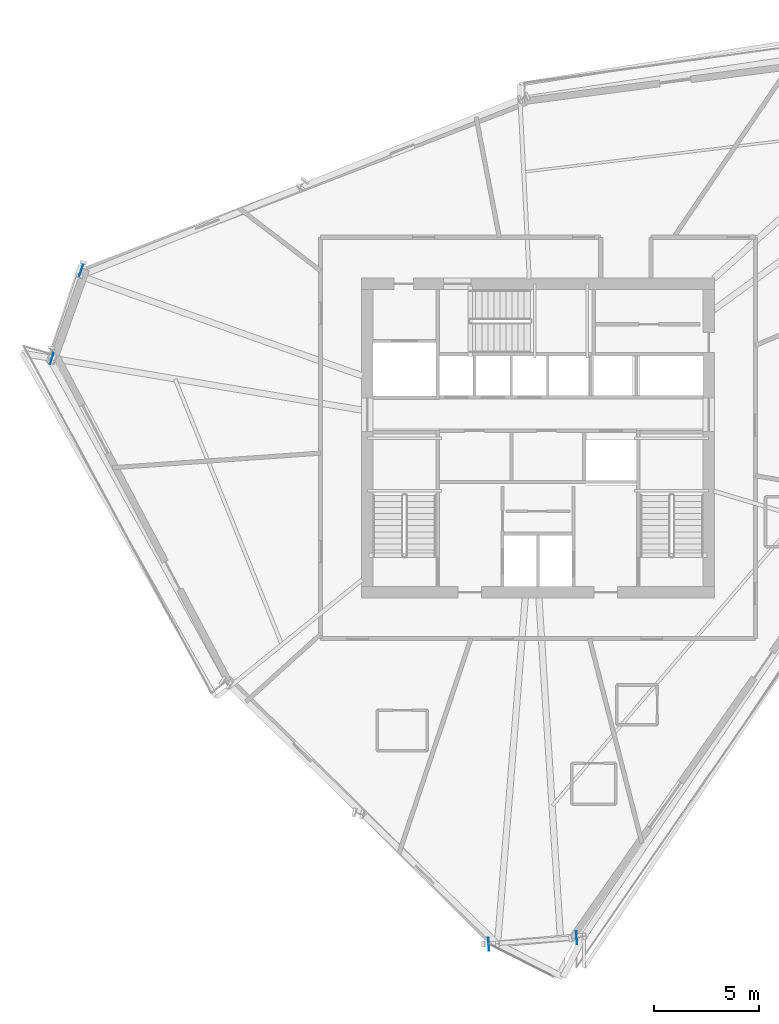
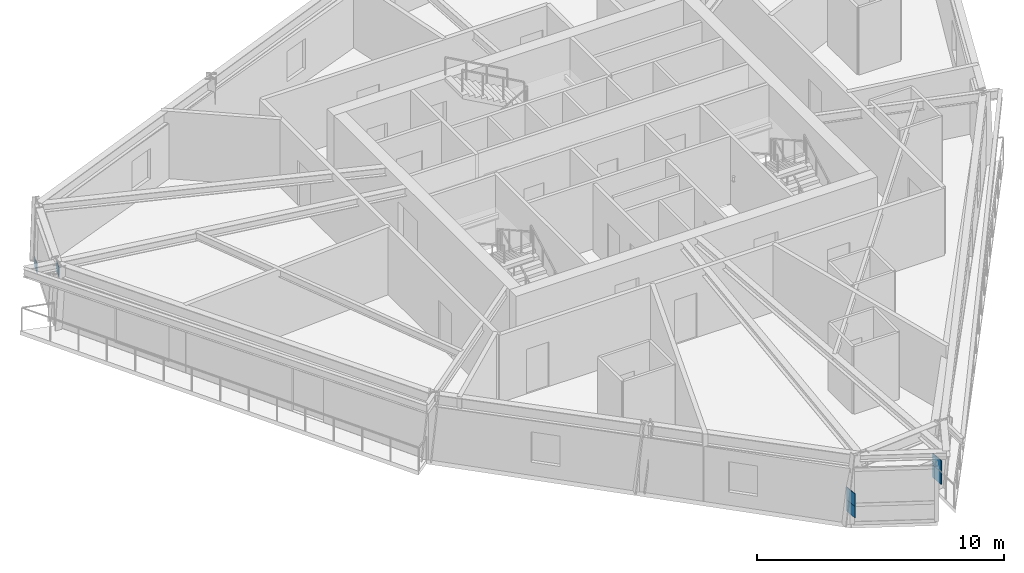
# One storey, part 5 of 13: 6 plates.
"""IFC4 building model written with IfcOpenShell, lengths in metres."""

import ifcopenshell
import ifcopenshell.guid

model = None  # the IFC model being written
_history = None  # IfcOwnerHistory: only IFC2X3 demands one
_inside = {}  # id of a spatial element -> (the spatial element, [elements in it])
_under = {}  # id of a project, library or spatial element -> (it, [spatial elements below it])
_declared = {}  # id of a project -> (the project, [libraries it declares])
_typed = {}  # id of a type object -> (the type object, [elements of that type])
_made_of = {}  # id of a material, layer set ... -> (it, [elements and type objects made of it])


def new_model(schema):
    """Start an empty IFC model of exactly this schema.

    Asked for "IFC4X3", IfcOpenShell would pick the latest addendum, in which some entities
    have other attributes; the version numbers below select the first issue.
    IFC2X3 requires an IfcOwnerHistory on every rooted entity: one is made here for all.
    """
    global model, _history
    if schema == "IFC4X3":
        model = ifcopenshell.file(schema_version=(4, 3, 0, 0))
    else:
        model = ifcopenshell.file(schema=schema)
    _inside.clear()
    _under.clear()
    _declared.clear()
    _typed.clear()
    _made_of.clear()
    _history = None
    if model.schema == "IFC2X3":
        org = make("IfcOrganization", Name="unknown")
        user = make(
            "IfcPersonAndOrganization",
            ThePerson=make("IfcPerson", FamilyName="unknown"),
            TheOrganization=org,
        )
        app = make(
            "IfcApplication",
            ApplicationDeveloper=org,
            Version="unknown",
            ApplicationFullName="unknown",
            ApplicationIdentifier="unknown",
        )
        _history = make(
            "IfcOwnerHistory",
            OwningUser=user,
            OwningApplication=app,
            ChangeAction="ADDED",
            CreationDate=0,
        )
    return model


def make(cls, **values):
    """One entity of the class cls with the attributes given. An attribute that is None is left unset."""
    return model.create_entity(
        cls, **{name: value for name, value in values.items() if value is not None}
    )


def rooted(cls, **values):
    """An entity with a GlobalId (a new one), such as an element, a storey or a relation."""
    return make(cls, GlobalId=ifcopenshell.guid.new(), OwnerHistory=_history, **values)


def si_unit(unit_type, name, prefix=None):
    """IfcSIUnit, for example si_unit("LENGTHUNIT", "METRE", prefix="MILLI")."""
    return make("IfcSIUnit", UnitType=unit_type, Prefix=prefix, Name=name)


def assignment(units):
    """IfcUnitAssignment: the units of a project."""
    return None if units is None else make("IfcUnitAssignment", Units=units)


def point(xyz):
    """IfcCartesianPoint."""
    return None if xyz is None else make("IfcCartesianPoint", Coordinates=xyz)


def direction(xyz):
    """IfcDirection."""
    return None if xyz is None else make("IfcDirection", DirectionRatios=xyz)


def frame(location, z_axis=None, x_axis=None):
    """IfcAxis2Placement3D, a coordinate frame: its origin and axes. An axis left out is left unset."""
    return make(
        "IfcAxis2Placement3D",
        Location=point(location),
        Axis=direction(z_axis),
        RefDirection=direction(x_axis),
    )


def frame_2d(location, x_axis=None):
    """IfcAxis2Placement2D, a coordinate frame in the plane: its origin and x axis."""
    return make(
        "IfcAxis2Placement2D", Location=point(location), RefDirection=direction(x_axis)
    )


def origin():
    """The frame at (0, 0, 0) with its axes left unset."""
    return frame((0.0, 0.0, 0.0))


def origin_2d():
    """The frame at (0, 0) in the plane with its x axis left unset."""
    return frame_2d((0.0, 0.0))


def place(relative_to, where):
    """IfcLocalPlacement: puts the frame where relative to a parent placement (None: the world)."""
    return make(
        "IfcLocalPlacement", PlacementRelTo=relative_to, RelativePlacement=where
    )


def context(
    kind, dimensions, precision=None, world=None, true_north=None, identifier=None
):
    """IfcGeometricRepresentationContext, for example the 3D "Model" context."""
    return make(
        "IfcGeometricRepresentationContext",
        ContextIdentifier=identifier,
        ContextType=kind,
        CoordinateSpaceDimension=dimensions,
        Precision=precision,
        WorldCoordinateSystem=world,
        TrueNorth=true_north,
    )


def subcontext(parent, identifier, kind, view, scale=None):
    """IfcGeometricRepresentationSubContext, for example "Body" below "Model"."""
    return make(
        "IfcGeometricRepresentationSubContext",
        ContextIdentifier=identifier,
        ContextType=kind,
        ParentContext=parent,
        TargetScale=scale,
        TargetView=view,
    )


def project(units=None, contexts=None):
    """IfcProject with its units and contexts."""
    return rooted(
        "IfcProject",
        Name="project",
        RepresentationContexts=contexts,
        UnitsInContext=assignment(units),
    )


def spatial(cls, under=None, at=None, **own):
    """A site, building, storey or space (cls), placed at a placement, below another one or the project."""
    s = rooted(cls, ObjectPlacement=at, **own)
    if under is not None:
        _under.setdefault(under.id(), (under, []))[1].append(s)
    return s


def profile(cls, at=None, kind="AREA", **sizes):
    """A parametric profile (cls). Its sizes go by their IFC names, for example OverallWidth=200.0."""
    return make(cls, ProfileType=kind, Position=at, **sizes)


def rectangle(**sizes):
    """IfcRectangleProfileDef."""
    return profile("IfcRectangleProfileDef", **sizes)


def extrude(swept, where, along, depth):
    """IfcExtrudedAreaSolid: the profile swept, set in the frame where, extruded along a direction by depth."""
    return make(
        "IfcExtrudedAreaSolid",
        SweptArea=swept,
        Position=where,
        ExtrudedDirection=direction(along),
        Depth=depth,
    )


def shape(context_of_items, identifier, shape_type, items):
    """IfcShapeRepresentation: the items that make up one representation, for example the "Body"."""
    return make(
        "IfcShapeRepresentation",
        ContextOfItems=context_of_items,
        RepresentationIdentifier=identifier,
        RepresentationType=shape_type,
        Items=items,
    )


def source(mapping_origin, context_of_items, identifier, shape_type, items):
    """IfcRepresentationMap: a shape defined once, which mapped items show again and again."""
    return make(
        "IfcRepresentationMap",
        MappingOrigin=mapping_origin,
        MappedRepresentation=shape(context_of_items, identifier, shape_type, items),
    )


def transform(
    local_origin,
    x_axis=None,
    y_axis=None,
    z_axis=None,
    scale=None,
    scale2=None,
    scale3=None,
    uniform=True,
):
    """IfcCartesianTransformationOperator3D, or its non-uniform kind. x_axis, y_axis, z_axis: its Axis1, 2, 3."""
    if uniform:
        return make(
            "IfcCartesianTransformationOperator3D",
            Axis1=direction(x_axis),
            Axis2=direction(y_axis),
            LocalOrigin=point(local_origin),
            Scale=scale,
            Axis3=direction(z_axis),
        )
    return make(
        "IfcCartesianTransformationOperator3DnonUniform",
        Axis1=direction(x_axis),
        Axis2=direction(y_axis),
        LocalOrigin=point(local_origin),
        Scale=scale,
        Axis3=direction(z_axis),
        Scale2=scale2,
        Scale3=scale3,
    )


def mapped(mapping_source, mapping_target):
    """IfcMappedItem: shows the shape of a source again, moved by a transform."""
    return make(
        "IfcMappedItem", MappingSource=mapping_source, MappingTarget=mapping_target
    )


def material(Name=None, Category=None):
    """IfcMaterial."""
    return make("IfcMaterial", Name=Name, Category=Category)


def made_of(thing, what):
    """Note that an element or type object is made of a material, layer set ...; save() writes the relation."""
    if what is not None:
        _made_of.setdefault(what.id(), (what, []))[1].append(thing)
    return thing


def type_object(cls, material=None, **own):
    """A type object (cls), such as IfcWallType, which elements share."""
    return made_of(rooted(cls, **own), material)


def element(
    cls,
    number,
    at=None,
    inside=None,
    cuts=None,
    type_object=None,
    material=None,
    context=None,
    identifier="Body",
    shape_type=None,
    held_by="IfcProductDefinitionShape",
    body=None,
    shapes=None,
    **own,
):
    """One element of the class cls, such as IfcWall. Its Tag is "e" and its number.

    at: its placement. inside: the storey or other place that contains it. cuts: it is an
    opening in that element (IfcRelVoidsElement). A single representation is given by context,
    identifier, shape_type and body (its items); several are given by shapes. held_by: the class
    of the entity that holds the representations. save() writes the other relations.
    """
    e = rooted(cls, Tag="e%d" % number, ObjectPlacement=at, **own)
    if body is not None:
        shapes = [shape(context, identifier, shape_type, body)]
    if shapes is not None:
        e.Representation = make(held_by, Representations=shapes)
    if inside is not None:
        _inside.setdefault(inside.id(), (inside, []))[1].append(e)
    if cuts is not None:
        rooted(
            "IfcRelVoidsElement", RelatingBuildingElement=cuts, RelatedOpeningElement=e
        )
    if type_object is not None:
        _typed.setdefault(type_object.id(), (type_object, []))[1].append(e)
    return made_of(e, material)


def aggregate(whole, parts):
    """IfcRelAggregates: a whole, such as a stair, and the parts it consists of."""
    return rooted("IfcRelAggregates", RelatingObject=whole, RelatedObjects=parts)


def save(model, path):
    """Write the relations noted so far, then the file.

    IfcRelAggregates (storeys below a building ...), IfcRelContainedInSpatialStructure (elements
    in a storey), IfcRelDefinesByType, IfcRelAssociatesMaterial and IfcRelDeclares: one each for
    every whole, place, type object, material and project.
    """
    for whole, parts in _under.values():
        aggregate(whole, parts)
    for where, things in _inside.values():
        rooted(
            "IfcRelContainedInSpatialStructure",
            RelatedElements=things,
            RelatingStructure=where,
        )
    for kind, things in _typed.values():
        rooted("IfcRelDefinesByType", RelatedObjects=things, RelatingType=kind)
    for what, things in _made_of.values():
        rooted("IfcRelAssociatesMaterial", RelatedObjects=things, RelatingMaterial=what)
    for by, libraries in _declared.values():
        rooted("IfcRelDeclares", RelatingContext=by, RelatedDefinitions=libraries)
    model.write(path)


model = new_model("IFC4")

# Units and contexts
model_context = context("Model", 3, precision=1e-05, world=origin(), true_north=direction((0.0, 1.0)))
body_context = subcontext(model_context, "Body", "Model", "MODEL_VIEW")
ifc_project = project(units=[si_unit("LENGTHUNIT", "METRE"), si_unit("AREAUNIT", "SQUARE_METRE"), si_unit("VOLUMEUNIT", "CUBIC_METRE"), si_unit("PLANEANGLEUNIT", "RADIAN"), si_unit("MASSUNIT", "GRAM", prefix="KILO")], contexts=[model_context])

# Site, building, storey
site_placement = place(None, origin())
site = spatial("IfcSite", under=ifc_project, at=site_placement, CompositionType="ELEMENT")
building_placement = place(site_placement, origin())
building = spatial("IfcBuilding", under=site, at=building_placement, Name="Olszyna Solenne Hotel", CompositionType="ELEMENT")
storey_placement = place(building_placement, frame((0.0, 0.0, 189.199951171875)))
storey = spatial("IfcBuildingStorey", under=building, at=storey_placement, Name="L50", CompositionType="ELEMENT", Elevation=189.199951171875)

# Plates
ifc_material_1 = material(Name="Steel S460M", Category="steel")
plate_type_1 = type_object("IfcPlateType", Name="GP-CAP2", PredefinedType="USERDEFINED", material=ifc_material_1)
shared_shape_1 = source(origin(), body_context, "Body", "SweptSolid", [
    extrude(rectangle(XDim=0.030029296875, YDim=0.6201171875, at=origin_2d()), origin(), (0.0, 0.0, 1.0), 0.6201171875),
])
for number, where, z_axis, x_axis, name in (
    (1, (35.640869140625, 2.387451171875, 1.0400390625), (0.0, 0.0, 1.0), (0.997440782931, 0.071497444333, 0.0), "Hollow section end-cap plate GP-CAP2 CP-PR-M-L50-PR1-1"),
    (2, (39.84912109375, 2.689208984375, 1.0400390625), (0.0, 0.0, 1.0), (0.997440782931, 0.071497444333, 0.0), "Hollow section end-cap plate GP-CAP2 CP-PR-M-L50-PR1-2"),
    (3, (35.640869140625, 2.387451171875, 0.469970703125), (0.0, 0.0, 1.0), (0.997440782931, 0.071497444333, 0.0), "Hollow section end-cap plate GP-CAP2 CP-PR-M-L50-PR2-1"),
    (4, (39.84912109375, 2.689208984375, 0.469970703125), (0.0, 0.0, 1.0), (0.997440782931, 0.071497444333, 0.0), "Hollow section end-cap plate GP-CAP2 CP-PR-M-L50-PR2-2"),
):
    element("IfcPlate", number, at=place(storey_placement, frame(where, z_axis=z_axis, x_axis=x_axis)), inside=storey, type_object=plate_type_1, Name=name, ObjectType="GUSSET_PLATE", PredefinedType="USERDEFINED", context=body_context, shape_type="MappedRepresentation", body=[
        mapped(shared_shape_1, transform((0.0, 0.0, 0.0), x_axis=(1.0, 0.0, 0.0), y_axis=(0.0, 1.0, 0.0), z_axis=(0.0, 0.0, 1.0), scale=1.0)),
    ])
ifc_material_2 = material(Name="Steel S355J2", Category="steel")
plate_type_2 = type_object("IfcPlateType", Name="GP-ND2", PredefinedType="USERDEFINED", material=ifc_material_2)
shared_shape_2 = source(origin(), body_context, "Body", "SweptSolid", [
    extrude(rectangle(XDim=0.56005859375, YDim=0.02001953125, at=origin_2d()), origin(), (0.0, 0.0, 1.0), 0.47998046875),
])
for number, where, z_axis, x_axis, name in (
    (5, (16.1396484375, 34.615234375, -0.154541015625), (0.0, 0.0, 1.0), (-0.315814642245, -0.948820906043, 0.0), "Brace end connection gusset plate GP-ND2 EP-BR-L50-2-1"),
    (6, (14.735595703125, 30.39599609375, 2.684814453125), (0.0, 0.0, 1.0), (-0.315814642245, -0.948820906043, 0.0), "Brace end connection gusset plate GP-ND2 EP-BR-L50-2-2"),
):
    element("IfcPlate", number, at=place(storey_placement, frame(where, z_axis=z_axis, x_axis=x_axis)), inside=storey, type_object=plate_type_2, Name=name, ObjectType="GUSSET_PLATE", PredefinedType="USERDEFINED", context=body_context, shape_type="MappedRepresentation", body=[
        mapped(shared_shape_2, transform((0.0, 0.0, 0.0), x_axis=(1.0, 0.0, 0.0), y_axis=(0.0, 1.0, 0.0), z_axis=(0.0, 0.0, 1.0), scale=1.0)),
    ])

save(model, "model.ifc")
